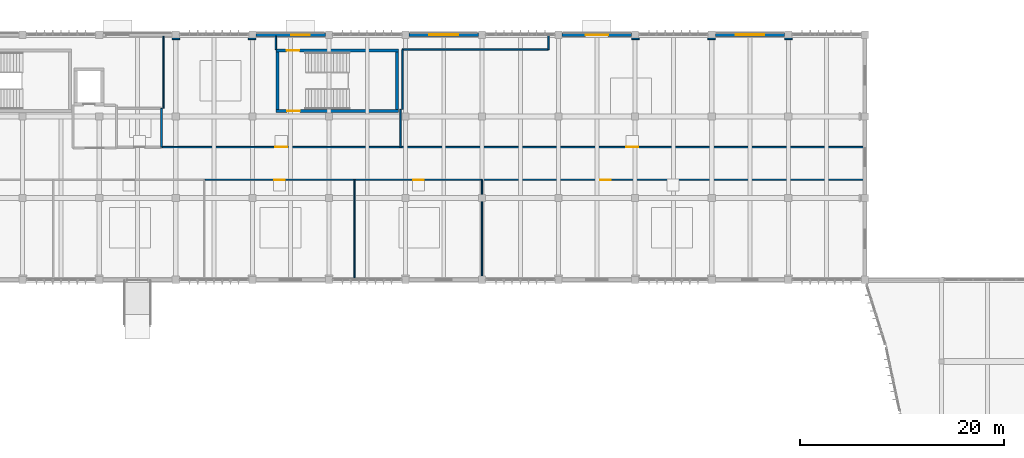
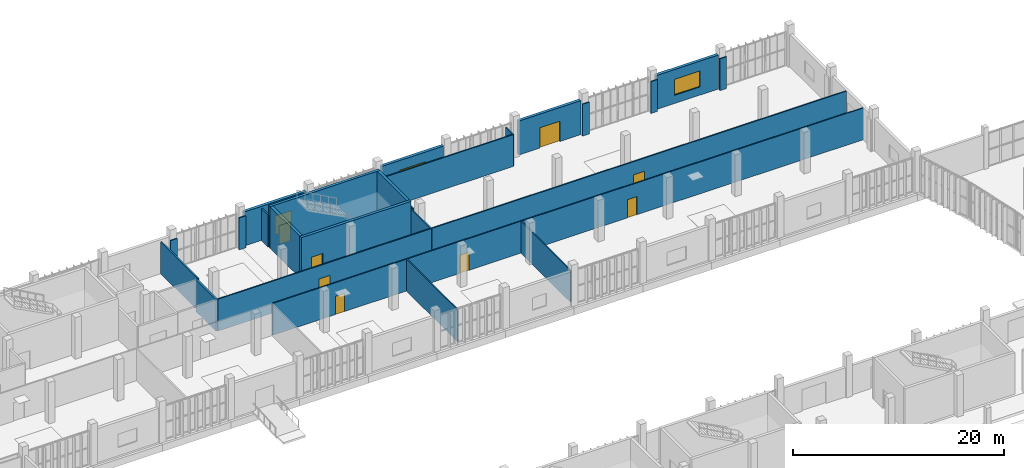
# One storey, part 49 of 72: 27 walls, 9 doors, 2 windows, 11 openings.
"""IFC4 building model written with IfcOpenShell, lengths in metres."""

from ifc_helpers import new_model, si_unit, direction, frame, frame_2d, origin, place, context, subcontext, project, spatial, rectangle, extrude, material, layer, layer_set, type_object, element, fill, save


model = new_model("IFC4")

# Units and contexts
model_context = context("Model", 3, precision=1e-05, world=origin(), true_north=direction((0.0, 1.0)))
body_context = subcontext(model_context, "Body", "Model", "MODEL_VIEW")
ifc_project = project(units=[si_unit("LENGTHUNIT", "METRE"), si_unit("AREAUNIT", "SQUARE_METRE"), si_unit("VOLUMEUNIT", "CUBIC_METRE"), si_unit("PLANEANGLEUNIT", "RADIAN"), si_unit("MASSUNIT", "GRAM", prefix="KILO")], contexts=[model_context])

# Site, building, storey
site_placement = place(None, origin())
site = spatial("IfcSite", under=ifc_project, at=site_placement, CompositionType="ELEMENT")
building_placement = place(site_placement, origin())
building = spatial("IfcBuilding", under=site, at=building_placement, Name="Vourika Railside Aquatics Centre", CompositionType="ELEMENT")
storey_placement = place(building_placement, origin())
storey = spatial("IfcBuildingStorey", under=building, at=storey_placement, Name="L00", CompositionType="ELEMENT", Elevation=0.0)

# Wall, opening, door
ifc_material_1 = material(Name="Concrete C40/50", Category="concrete")
ifc_layer_1 = layer(ifc_material_1, 0.300048828125, Name="WL-CORE")
ifc_layer_set_1 = layer_set([ifc_layer_1], Name="Concrete C40/50")
wall_type_1 = type_object("IfcWallType", Name="WL-CORE", PredefinedType="SHEAR", material=ifc_layer_set_1)
wall_1_placement = place(storey_placement, frame((75.800048828125, 108.550048828125, 0.0), z_axis=(0.0, 0.0, 1.0), x_axis=(1.0, 0.0, 0.0)))
wall_1 = element("IfcWall", 1, at=wall_1_placement, inside=storey, type_object=wall_type_1, Name="Protected Exit Stair Core ST03 South Wall (L00)", PredefinedType="SHEAR", context=body_context, shape_type="SweptSolid", body=[
    extrude(rectangle(XDim=12.0, YDim=0.300048828125, at=frame_2d((6.0, 0.0))), origin(), (0.0, 0.0, 1.0), 4.800048828125),
])
opening_1_placement = place(wall_1_placement, frame((1.10009765625, 0.0, 0.0)))
opening_1 = element("IfcOpeningElement", 2, at=opening_1_placement, cuts=wall_1, Name="Opening DF02", PredefinedType="OPENING", context=body_context, shape_type="SweptSolid", body=[
    extrude(rectangle(XDim=1.25, YDim=2.14990234375, at=frame_2d((0.625, 1.074951171875))), frame((0.0, 0.16015625, 0.0), z_axis=(0.0, -1.0, 0.0), x_axis=(1.0, 0.0, 0.0)), (0.0, 0.0, 1.0), 0.320068359375),
])
ifc_material_2 = material(Name="Fire-rated wide exit stair door")
door_type_1 = type_object("IfcDoorType", Name="DR-FD60-125", OperationType="NOTDEFINED", PredefinedType="DOOR", material=ifc_material_2)
door_1_placement = place(opening_1_placement, origin())
door_1 = element("IfcDoor", 3, at=door_1_placement, inside=storey, type_object=door_type_1, Name="Protected Exit Stair Core ST03 Enclosure Fire Door (L00)", OperationType="SINGLE_SWING_LEFT", OverallHeight=2.14990234375, OverallWidth=1.25, PredefinedType="DOOR", context=body_context, shape_type="SweptSolid", body=[
    extrude(rectangle(XDim=1.25, YDim=2.14990234375, at=frame_2d((0.625, 1.074951171875))), frame((0.0, 0.02490234375, 0.0), z_axis=(0.0, -1.0, 0.0), x_axis=(1.0, 0.0, 0.0)), (0.0, 0.0, 1.0), 0.050048828125),
])
fill(opening_1, door_1)

wall_2_placement = place(storey_placement, frame((87.800048828125, 114.449951171875, 0.0), z_axis=(0.0, 0.0, 1.0), x_axis=(-1.0, 0.0, 0.0)))
wall_2 = element("IfcWall", 4, at=wall_2_placement, inside=storey, type_object=wall_type_1, Name="Protected Exit Stair Core ST03 North Wall (L00)", PredefinedType="SHEAR", context=body_context, shape_type="SweptSolid", body=[
    extrude(rectangle(XDim=12.0, YDim=0.300048828125, at=frame_2d((6.0, 0.0))), origin(), (0.0, 0.0, 1.0), 4.800048828125),
])
opening_2_placement = place(wall_2_placement, frame((9.699951171875, 0.0, 0.0)))
opening_2 = element("IfcOpeningElement", 5, at=opening_2_placement, cuts=wall_2, Name="Opening DF02", PredefinedType="OPENING", context=body_context, shape_type="SweptSolid", body=[
    extrude(rectangle(XDim=1.25, YDim=2.14990234375, at=frame_2d((0.625, 1.074951171875))), frame((0.0, 0.16015625, 0.0), z_axis=(0.0, -1.0, 0.0), x_axis=(1.0, 0.0, 0.0)), (0.0, 0.0, 1.0), 0.320068359375),
])
door_2_placement = place(opening_2_placement, origin())
door_2 = element("IfcDoor", 6, at=door_2_placement, inside=storey, type_object=door_type_1, Name="Protected Exit Stair Core ST03 Grade Exit Vestibule Door", OperationType="SINGLE_SWING_RIGHT", OverallHeight=2.14990234375, OverallWidth=1.25, PredefinedType="DOOR", context=body_context, shape_type="SweptSolid", body=[
    extrude(rectangle(XDim=1.25, YDim=2.14990234375, at=frame_2d((0.625, 1.074951171875))), frame((0.0, 0.02490234375, 0.0), z_axis=(0.0, -1.0, 0.0), x_axis=(1.0, 0.0, 0.0)), (0.0, 0.0, 1.0), 0.050048828125),
])
fill(opening_2, door_2)

# Walls
for number, where, z_axis, x_axis, name in (
    (7, (75.949951171875, 114.300048828125, 0.0), (0.0, 0.0, 1.0), (0.0, -1.0, 0.0), "Protected Exit Stair Core ST03 West Wall (L00)"),
    (8, (87.64990234375, 108.699951171875, 0.0), (0.0, 0.0, 1.0), (0.0, 1.0, 0.0), "Protected Exit Stair Core ST03 East Wall (L00)"),
):
    element("IfcWall", number, at=place(storey_placement, frame(where, z_axis=z_axis, x_axis=x_axis)), inside=storey, type_object=wall_type_1, Name=name, PredefinedType="SHEAR", context=body_context, shape_type="SweptSolid", body=[
        extrude(rectangle(XDim=5.60009765625, YDim=0.300048828125, at=frame_2d((2.800048828125, 0.0))), origin(), (0.0, 0.0, 1.0), 4.800048828125),
    ])

# Wall, opening, door
ifc_material_3 = material(Name="Precast concrete C40/50", Category="concrete")
ifc_layer_2 = layer(ifc_material_3, 0.320068359375, Name="WL-EXT-320")
ifc_layer_set_2 = layer_set([ifc_layer_2], Name="Precast concrete C40/50")
wall_type_2 = type_object("IfcWallType", Name="WL-EXT-320", PredefinedType="SOLIDWALL", material=ifc_layer_set_2)
wall_3_placement = place(storey_placement, frame((80.64990234375, 116.0, 0.0), z_axis=(0.0, 0.0, 1.0), x_axis=(-1.0, 0.0, 0.0)))
wall_3 = element("IfcWall", 9, at=wall_3_placement, inside=storey, type_object=wall_type_2, Name="North Boulevard Exit Portal 8", PredefinedType="SOLIDWALL", context=body_context, shape_type="SweptSolid", body=[
    extrude(rectangle(XDim=6.7998046875, YDim=0.320068359375, at=frame_2d((3.39990234375, 0.0))), origin(), (0.0, 0.0, 1.0), 3.929931640625),
])
opening_3_placement = place(wall_3_placement, frame((1.550048828125, 0.0, 0.0)))
opening_3 = element("IfcOpeningElement", 10, at=opening_3_placement, cuts=wall_3, Name="Opening DE05", PredefinedType="OPENING", context=body_context, shape_type="SweptSolid", body=[
    extrude(rectangle(XDim=1.800048828125, YDim=2.199951171875, at=frame_2d((0.89990234375, 1.10009765625))), frame((0.0, 0.169921875, 0.0), z_axis=(0.0, -1.0, 0.0), x_axis=(1.0, 0.0, 0.0)), (0.0, 0.0, 1.0), 0.340087890625),
])
ifc_material_4 = material(Name="Anodized aluminium", Category="aluminium")
door_type_2 = type_object("IfcDoorType", Name="DR-EXT-DBL180", OperationType="DOUBLE_DOOR_SINGLE_SWING", PredefinedType="DOOR", material=ifc_material_4)
door_3_placement = place(opening_3_placement, frame((1.800048828125, 0.0, 0.0), z_axis=(0.0, 0.0, 1.0), x_axis=(-1.0, 0.0, 0.0)))
door_3 = element("IfcDoor", 11, at=door_3_placement, inside=storey, type_object=door_type_2, Name="North Boulevard Entrance and Exit Door 8", OperationType="DOUBLE_DOOR_SINGLE_SWING", OverallHeight=2.199951171875, OverallWidth=1.800048828125, PredefinedType="DOOR", context=body_context, shape_type="SweptSolid", body=[
    extrude(rectangle(XDim=1.800048828125, YDim=2.199951171875, at=frame_2d((0.89990234375, 1.10009765625))), frame((0.0, 0.02490234375, 0.0), z_axis=(0.0, -1.0, 0.0), x_axis=(1.0, 0.0, 0.0)), (0.0, 0.0, 1.0), 0.050048828125),
])
fill(opening_3, door_3)

# Wall, opening, window
wall_4_placement = place(storey_placement, frame((95.64990234375, 116.0, 0.0), z_axis=(0.0, 0.0, 1.0), x_axis=(-1.0, 0.0, 0.0)))
wall_4 = element("IfcWall", 12, at=wall_4_placement, inside=storey, type_object=wall_type_2, Name="North Boulevard Precast Bay L00-10", PredefinedType="SOLIDWALL", context=body_context, shape_type="SweptSolid", body=[
    extrude(rectangle(XDim=6.7998046875, YDim=0.320068359375, at=frame_2d((3.39990234375, 0.0))), origin(), (0.0, 0.0, 1.0), 3.929931640625),
])
opening_4_placement = place(wall_4_placement, frame((2.0, 0.0, 0.949951171875)))
opening_4 = element("IfcOpeningElement", 13, at=opening_4_placement, cuts=wall_4, Name="Opening W01", PredefinedType="OPENING", context=body_context, shape_type="SweptSolid", body=[
    extrude(rectangle(XDim=2.800048828125, YDim=1.85009765625, at=frame_2d((1.39990234375, 0.925048828125))), frame((0.0, 0.169921875, 0.0), z_axis=(0.0, -1.0, 0.0), x_axis=(1.0, 0.0, 0.0)), (0.0, 0.0, 1.0), 0.340087890625),
])
ifc_material_5 = material(Name="Laminated solar-control glass", Category="glass")
window_type = type_object("IfcWindowType", Name="WN-FIT-280x185", PartitioningType="DOUBLE_PANEL_VERTICAL", PredefinedType="WINDOW", material=ifc_material_5)
window_1_placement = place(opening_4_placement, origin())
window_1 = element("IfcWindow", 14, at=window_1_placement, inside=storey, type_object=window_type, Name="North Boulevard Studio Window L00-10", OverallHeight=1.85009765625, OverallWidth=2.800048828125, PartitioningType="SINGLE_PANEL", PredefinedType="WINDOW", context=body_context, shape_type="SweptSolid", body=[
    extrude(rectangle(XDim=2.800048828125, YDim=1.85009765625, at=frame_2d((1.39990234375, 0.925048828125))), frame((0.0, 0.030029296875, 0.0), z_axis=(0.0, -1.0, 0.0), x_axis=(1.0, 0.0, 0.0)), (0.0, 0.0, 1.0), 0.06005859375),
])
fill(opening_4, window_1)

# Wall, opening, door
wall_5_placement = place(storey_placement, frame((110.64990234375, 116.0, 0.0), z_axis=(0.0, 0.0, 1.0), x_axis=(-1.0, 0.0, 0.0)))
wall_5 = element("IfcWall", 15, at=wall_5_placement, inside=storey, type_object=wall_type_2, Name="North Boulevard Exit Portal 12", PredefinedType="SOLIDWALL", context=body_context, shape_type="SweptSolid", body=[
    extrude(rectangle(XDim=6.7998046875, YDim=0.320068359375, at=frame_2d((3.39990234375, 0.0))), origin(), (0.0, 0.0, 1.0), 3.929931640625),
])
opening_5_placement = place(wall_5_placement, frame((2.300048828125, 0.0, 0.0)))
opening_5 = element("IfcOpeningElement", 16, at=opening_5_placement, cuts=wall_5, Name="Opening DE03", PredefinedType="OPENING", context=body_context, shape_type="SweptSolid", body=[
    extrude(rectangle(XDim=2.199951171875, YDim=2.35009765625, at=frame_2d((1.10009765625, 1.175048828125))), frame((0.0, 0.169921875, 0.0), z_axis=(0.0, -1.0, 0.0), x_axis=(1.0, 0.0, 0.0)), (0.0, 0.0, 1.0), 0.340087890625),
])
door_type_3 = type_object("IfcDoorType", Name="DR-EXT-DBL220", OperationType="DOUBLE_DOOR_SINGLE_SWING", PredefinedType="DOOR", material=ifc_material_4)
door_4_placement = place(opening_5_placement, frame((2.199951171875, 0.0, 0.0), z_axis=(0.0, 0.0, 1.0), x_axis=(-1.0, 0.0, 0.0)))
door_4 = element("IfcDoor", 17, at=door_4_placement, inside=storey, type_object=door_type_3, Name="North Boulevard Entrance and Exit Door 12", OperationType="DOUBLE_DOOR_SINGLE_SWING", OverallHeight=2.35009765625, OverallWidth=2.199951171875, PredefinedType="DOOR", context=body_context, shape_type="SweptSolid", body=[
    extrude(rectangle(XDim=2.199951171875, YDim=2.35009765625, at=frame_2d((1.10009765625, 1.175048828125))), frame((0.0, 0.02490234375, 0.0), z_axis=(0.0, -1.0, 0.0), x_axis=(1.0, 0.0, 0.0)), (0.0, 0.0, 1.0), 0.050048828125),
])
fill(opening_5, door_4)

# Wall, opening, window
wall_6_placement = place(storey_placement, frame((125.64990234375, 116.0, 0.0), z_axis=(0.0, 0.0, 1.0), x_axis=(-1.0, 0.0, 0.0)))
wall_6 = element("IfcWall", 18, at=wall_6_placement, inside=storey, type_object=wall_type_2, Name="North Boulevard Precast Bay L00-14", PredefinedType="SOLIDWALL", context=body_context, shape_type="SweptSolid", body=[
    extrude(rectangle(XDim=6.7998046875, YDim=0.320068359375, at=frame_2d((3.39990234375, 0.0))), origin(), (0.0, 0.0, 1.0), 3.929931640625),
])
opening_6_placement = place(wall_6_placement, frame((2.0, 0.0, 0.949951171875)))
opening_6 = element("IfcOpeningElement", 19, at=opening_6_placement, cuts=wall_6, Name="Opening W01", PredefinedType="OPENING", context=body_context, shape_type="SweptSolid", body=[
    extrude(rectangle(XDim=2.800048828125, YDim=1.85009765625, at=frame_2d((1.39990234375, 0.925048828125))), frame((0.0, 0.169921875, 0.0), z_axis=(0.0, -1.0, 0.0), x_axis=(1.0, 0.0, 0.0)), (0.0, 0.0, 1.0), 0.340087890625),
])
window_2_placement = place(opening_6_placement, origin())
window_2 = element("IfcWindow", 20, at=window_2_placement, inside=storey, type_object=window_type, Name="North Boulevard Studio Window L00-14", OverallHeight=1.85009765625, OverallWidth=2.800048828125, PartitioningType="SINGLE_PANEL", PredefinedType="WINDOW", context=body_context, shape_type="SweptSolid", body=[
    extrude(rectangle(XDim=2.800048828125, YDim=1.85009765625, at=frame_2d((1.39990234375, 0.925048828125))), frame((0.0, 0.030029296875, 0.0), z_axis=(0.0, -1.0, 0.0), x_axis=(1.0, 0.0, 0.0)), (0.0, 0.0, 1.0), 0.06005859375),
])
fill(opening_6, window_2)

# Wall, opening, door
ifc_material_6 = material(Name="Lightweight drylining partition")
ifc_layer_3 = layer(ifc_material_6, 0.1201171875, Name="WL-PART-120")
ifc_layer_set_3 = layer_set([ifc_layer_3], Name="Lightweight drylining partition")
wall_type_3 = type_object("IfcWallType", Name="WL-PART-120", PredefinedType="PARTITIONING", material=ifc_layer_set_3)
wall_7_placement = place(storey_placement, frame((68.840087890625, 101.800048828125, 0.0), z_axis=(0.0, 0.0, 1.0), x_axis=(1.0, 0.0, 0.0)))
wall_7 = element("IfcWall", 21, at=wall_7_placement, inside=storey, type_object=wall_type_3, Name="Sports Traumatology Consultation Suite Partition 1", PredefinedType="PARTITIONING", context=body_context, shape_type="SweptSolid", body=[
    extrude(rectangle(XDim=14.659912109375, YDim=0.1201171875, at=frame_2d((7.330078125, 0.0))), origin(), (0.0, 0.0, 1.0), 3.679931640625),
])
opening_7_placement = place(wall_7_placement, frame((6.830078125, 0.0, 0.0)))
opening_7 = element("IfcOpeningElement", 22, at=opening_7_placement, cuts=wall_7, Name="Opening DI01", PredefinedType="OPENING", context=body_context, shape_type="SweptSolid", body=[
    extrude(rectangle(XDim=1.0, YDim=2.10009765625, at=frame_2d((0.5, 1.050048828125))), frame((0.0, 0.070068359375, 0.0), z_axis=(0.0, -1.0, 0.0), x_axis=(1.0, 0.0, 0.0)), (0.0, 0.0, 1.0), 0.14013671875),
])
ifc_material_7 = material(Name="Anodized aluminium and laminate door", Category="aluminium")
door_type_4 = type_object("IfcDoorType", Name="DR-INT-1000", OperationType="NOTDEFINED", PredefinedType="DOOR", material=ifc_material_7)
door_5_placement = place(opening_7_placement, origin())
door_5 = element("IfcDoor", 23, at=door_5_placement, inside=storey, type_object=door_type_4, Name="Sports Traumatology Consultation Suite Door", OperationType="SINGLE_SWING_LEFT", OverallHeight=2.10009765625, OverallWidth=1.0, PredefinedType="DOOR", context=body_context, shape_type="SweptSolid", body=[
    extrude(rectangle(XDim=1.0, YDim=2.10009765625, at=frame_2d((0.5, 1.050048828125))), frame((0.0, 0.02490234375, 0.0), z_axis=(0.0, -1.0, 0.0), x_axis=(1.0, 0.0, 0.0)), (0.0, 0.0, 1.0), 0.050048828125),
])
fill(opening_7, door_5)

# Wall
wall_8_placement = place(storey_placement, frame((83.5, 101.800048828125, 0.0), z_axis=(0.0, 0.0, 1.0), x_axis=(0.0, -1.0, 0.0)))
element("IfcWall", 24, at=wall_8_placement, inside=storey, type_object=wall_type_3, Name="Sports Traumatology Consultation Suite Partition 3", PredefinedType="PARTITIONING", context=body_context, shape_type="SweptSolid", body=[
    extrude(rectangle(XDim=9.738037109375, YDim=0.1201171875, at=frame_2d((4.869140625, 0.0))), origin(), (0.0, 0.0, 1.0), 3.679931640625),
])

# Wall, opening, door
wall_9_placement = place(storey_placement, frame((83.5400390625, 101.800048828125, 0.0), z_axis=(0.0, 0.0, 1.0), x_axis=(1.0, 0.0, 0.0)))
wall_9 = element("IfcWall", 25, at=wall_9_placement, inside=storey, type_object=wall_type_3, Name="Athlete Cardiac Screening Lounge Partition 1", PredefinedType="PARTITIONING", context=body_context, shape_type="SweptSolid", body=[
    extrude(rectangle(XDim=12.4599609375, YDim=0.1201171875, at=frame_2d((6.22998046875, 0.0))), origin(), (0.0, 0.0, 1.0), 3.679931640625),
])
opening_8_placement = place(wall_9_placement, frame((5.72998046875, 0.0, 0.0)))
opening_8 = element("IfcOpeningElement", 26, at=opening_8_placement, cuts=wall_9, Name="Opening DI01", PredefinedType="OPENING", context=body_context, shape_type="SweptSolid", body=[
    extrude(rectangle(XDim=1.0, YDim=2.10009765625, at=frame_2d((0.5, 1.050048828125))), frame((0.0, 0.070068359375, 0.0), z_axis=(0.0, -1.0, 0.0), x_axis=(1.0, 0.0, 0.0)), (0.0, 0.0, 1.0), 0.14013671875),
])
door_6_placement = place(opening_8_placement, origin())
door_6 = element("IfcDoor", 27, at=door_6_placement, inside=storey, type_object=door_type_4, Name="Athlete Cardiac Screening Lounge Door", OperationType="SINGLE_SWING_RIGHT", OverallHeight=2.10009765625, OverallWidth=1.0, PredefinedType="DOOR", context=body_context, shape_type="SweptSolid", body=[
    extrude(rectangle(XDim=1.0, YDim=2.10009765625, at=frame_2d((0.5, 1.050048828125))), frame((0.0, 0.02490234375, 0.0), z_axis=(0.0, -1.0, 0.0), x_axis=(1.0, 0.0, 0.0)), (0.0, 0.0, 1.0), 0.050048828125),
])
fill(opening_8, door_6)

# Wall
wall_10_placement = place(storey_placement, frame((96.0, 101.800048828125, 0.0), z_axis=(0.0, 0.0, 1.0), x_axis=(0.0, -1.0, 0.0)))
element("IfcWall", 28, at=wall_10_placement, inside=storey, type_object=wall_type_3, Name="Athlete Cardiac Screening Lounge Partition 2", PredefinedType="PARTITIONING", context=body_context, shape_type="SweptSolid", body=[
    extrude(rectangle(XDim=9.400146484375, YDim=0.1201171875, at=frame_2d((4.7001953125, 0.0))), origin(), (0.0, 0.0, 1.0), 3.679931640625),
])

# Wall, opening, door
wall_11_placement = place(storey_placement, frame((96.0400390625, 101.800048828125, 0.0), z_axis=(0.0, 0.0, 1.0), x_axis=(1.0, 0.0, 0.0)))
wall_11 = element("IfcWall", 29, at=wall_11_placement, inside=storey, type_object=wall_type_3, Name="Diagnostic Imaging and Triage Suite Partition 1", PredefinedType="PARTITIONING", context=body_context, shape_type="SweptSolid", body=[
    extrude(rectangle(XDim=37.320068359375, YDim=0.1201171875, at=frame_2d((18.66015625, 0.0))), origin(), (0.0, 0.0, 1.0), 3.679931640625),
])
opening_9_placement = place(wall_11_placement, frame((11.56005859375, 0.0, 0.0)))
opening_9 = element("IfcOpeningElement", 30, at=opening_9_placement, cuts=wall_11, Name="Opening DI01", PredefinedType="OPENING", context=body_context, shape_type="SweptSolid", body=[
    extrude(rectangle(XDim=1.0, YDim=2.10009765625, at=frame_2d((0.5, 1.050048828125))), frame((0.0, 0.070068359375, 0.0), z_axis=(0.0, -1.0, 0.0), x_axis=(1.0, 0.0, 0.0)), (0.0, 0.0, 1.0), 0.14013671875),
])
door_7_placement = place(opening_9_placement, origin())
door_7 = element("IfcDoor", 31, at=door_7_placement, inside=storey, type_object=door_type_4, Name="Diagnostic Imaging and Triage Suite Door", OperationType="SINGLE_SWING_LEFT", OverallHeight=2.10009765625, OverallWidth=1.0, PredefinedType="DOOR", context=body_context, shape_type="SweptSolid", body=[
    extrude(rectangle(XDim=1.0, YDim=2.10009765625, at=frame_2d((0.5, 1.050048828125))), frame((0.0, 0.02490234375, 0.0), z_axis=(0.0, -1.0, 0.0), x_axis=(1.0, 0.0, 0.0)), (0.0, 0.0, 1.0), 0.050048828125),
])
fill(opening_9, door_7)

ifc_material_8 = material(Name="Clinical hygienic partition")
ifc_layer_4 = layer(ifc_material_8, 0.139892578125, Name="WL-PART-140")
ifc_layer_set_4 = layer_set([ifc_layer_4], Name="Clinical hygienic partition")
wall_type_4 = type_object("IfcWallType", Name="WL-PART-140", PredefinedType="PARTITIONING", material=ifc_layer_set_4)
wall_12_placement = place(storey_placement, frame((88.0, 105.0, 0.0), z_axis=(0.0, 0.0, 1.0), x_axis=(-1.0, 0.0, 0.0)))
wall_12 = element("IfcWall", 32, at=wall_12_placement, inside=storey, type_object=wall_type_4, Name="Sports-Medicine Clinic Reception and Waiting Partition 1", PredefinedType="PARTITIONING", context=body_context, shape_type="SweptSolid", body=[
    extrude(rectangle(XDim=23.330078125, YDim=0.139892578125, at=frame_2d((11.6650390625, 0.0))), origin(), (0.0, 0.0, 1.0), 3.679931640625),
])
opening_10_placement = place(wall_12_placement, frame((11.06494140625, 0.0, 0.0)))
opening_10 = element("IfcOpeningElement", 33, at=opening_10_placement, cuts=wall_12, Name="Opening DI03", PredefinedType="OPENING", context=body_context, shape_type="SweptSolid", body=[
    extrude(rectangle(XDim=1.199951171875, YDim=2.14990234375, at=frame_2d((0.60009765625, 1.074951171875))), frame((0.0, 0.080078125, 0.0), z_axis=(0.0, -1.0, 0.0), x_axis=(1.0, 0.0, 0.0)), (0.0, 0.0, 1.0), 0.159912109375),
])
ifc_material_9 = material(Name="Wide sports-medicine clinical door")
door_type_5 = type_object("IfcDoorType", Name="DR-INT-1200", OperationType="NOTDEFINED", PredefinedType="DOOR", material=ifc_material_9)
door_8_placement = place(opening_10_placement, origin())
door_8 = element("IfcDoor", 34, at=door_8_placement, inside=storey, type_object=door_type_5, Name="Sports-Medicine Clinic Reception and Waiting Door", OperationType="SINGLE_SWING_LEFT", OverallHeight=2.14990234375, OverallWidth=1.199951171875, PredefinedType="DOOR", context=body_context, shape_type="SweptSolid", body=[
    extrude(rectangle(XDim=1.199951171875, YDim=2.14990234375, at=frame_2d((0.60009765625, 1.074951171875))), frame((0.0, 0.02490234375, 0.0), z_axis=(0.0, -1.0, 0.0), x_axis=(1.0, 0.0, 0.0)), (0.0, 0.0, 1.0), 0.050048828125),
])
fill(opening_10, door_8)

# Walls
wall_13_placement = place(storey_placement, frame((88.0, 108.699951171875, 0.0), z_axis=(0.0, 0.0, 1.0), x_axis=(0.0, -1.0, 0.0)))
element("IfcWall", 35, at=wall_13_placement, inside=storey, type_object=wall_type_4, Name="Sports-Medicine Clinic Reception and Waiting Partition 2", PredefinedType="PARTITIONING", context=body_context, shape_type="SweptSolid", body=[
    extrude(rectangle(XDim=3.699951171875, YDim=0.139892578125, at=frame_2d((1.85009765625, 0.0))), origin(), (0.0, 0.0, 1.0), 3.679931640625),
])
wall_14_placement = place(storey_placement, frame((64.800048828125, 108.800048828125, 0.0), z_axis=(0.0, 0.0, 1.0), x_axis=(0.0, 1.0, 0.0)))
element("IfcWall", 36, at=wall_14_placement, inside=storey, type_object=wall_type_4, Name="Sports-Medicine Clinic Reception and Waiting Partition 4", PredefinedType="PARTITIONING", context=body_context, shape_type="SweptSolid", body=[
    extrude(rectangle(XDim=7.06005859375, YDim=0.139892578125, at=frame_2d((3.530029296875, 0.0))), origin(), (0.0, 0.0, 1.0), 3.679931640625),
])
wall_15_placement = place(storey_placement, frame((75.800048828125, 115.860107421875, 0.0), z_axis=(0.0, 0.0, 1.0), x_axis=(0.0, -1.0, 0.0)))
element("IfcWall", 37, at=wall_15_placement, inside=storey, type_object=wall_type_4, Name="Sports-Medicine Clinic Reception and Waiting Partition 5", PredefinedType="PARTITIONING", context=body_context, shape_type="SweptSolid", body=[
    extrude(rectangle(XDim=1.31005859375, YDim=0.139892578125, at=frame_2d((0.655029296875, 0.0))), origin(), (0.0, 0.0, 1.0), 3.679931640625),
])
for number, where, z_axis, x_axis, name in (
    (38, (65.64990234375, 115.60009765625, 0.0), (0.0, 0.0, 1.0), (1.0, 0.0, 0.0), "Sports-Medicine Clinic Reception and Waiting Partition 6"),
    (39, (73.1201171875, 115.60009765625, 0.0), (0.0, 0.0, 1.0), (1.0, 0.0, 0.0), "Sports-Medicine Clinic Reception and Waiting Partition 7"),
):
    element("IfcWall", number, at=place(storey_placement, frame(where, z_axis=z_axis, x_axis=x_axis)), inside=storey, type_object=wall_type_4, Name=name, PredefinedType="PARTITIONING", context=body_context, shape_type="SweptSolid", body=[
        extrude(rectangle(XDim=0.72998046875, YDim=0.139892578125, at=frame_2d((0.364990234375, 0.0))), origin(), (0.0, 0.0, 1.0), 3.679931640625),
    ])

# Wall, opening, door
wall_16_placement = place(storey_placement, frame((133.360107421875, 105.0, 0.0), z_axis=(0.0, 0.0, 1.0), x_axis=(-1.0, 0.0, 0.0)))
wall_16 = element("IfcWall", 40, at=wall_16_placement, inside=storey, type_object=wall_type_4, Name="Rehabilitation Physiotherapy Lounge Partition 1", PredefinedType="PARTITIONING", context=body_context, shape_type="SweptSolid", body=[
    extrude(rectangle(XDim=45.31005859375, YDim=0.139892578125, at=frame_2d((22.655029296875, 0.0))), origin(), (0.0, 0.0, 1.0), 3.679931640625),
])
opening_11_placement = place(wall_16_placement, frame((22.054931640625, 0.0, 0.0)))
opening_11 = element("IfcOpeningElement", 41, at=opening_11_placement, cuts=wall_16, Name="Opening DI03", PredefinedType="OPENING", context=body_context, shape_type="SweptSolid", body=[
    extrude(rectangle(XDim=1.199951171875, YDim=2.14990234375, at=frame_2d((0.60009765625, 1.074951171875))), frame((0.0, 0.080078125, 0.0), z_axis=(0.0, -1.0, 0.0), x_axis=(1.0, 0.0, 0.0)), (0.0, 0.0, 1.0), 0.159912109375),
])
door_9_placement = place(opening_11_placement, origin())
door_9 = element("IfcDoor", 42, at=door_9_placement, inside=storey, type_object=door_type_5, Name="Rehabilitation Physiotherapy Lounge Door", OperationType="SINGLE_SWING_RIGHT", OverallHeight=2.14990234375, OverallWidth=1.199951171875, PredefinedType="DOOR", context=body_context, shape_type="SweptSolid", body=[
    extrude(rectangle(XDim=1.199951171875, YDim=2.14990234375, at=frame_2d((0.60009765625, 1.074951171875))), frame((0.0, 0.02490234375, 0.0), z_axis=(0.0, -1.0, 0.0), x_axis=(1.0, 0.0, 0.0)), (0.0, 0.0, 1.0), 0.050048828125),
])
fill(opening_11, door_9)

# Walls
wall_17_placement = place(storey_placement, frame((88.199951171875, 108.699951171875, 0.0), z_axis=(0.0, 0.0, 1.0), x_axis=(0.0, 1.0, 0.0)))
element("IfcWall", 43, at=wall_17_placement, inside=storey, type_object=wall_type_4, Name="Rehabilitation Physiotherapy Lounge Partition 4", PredefinedType="PARTITIONING", context=body_context, shape_type="SweptSolid", body=[
    extrude(rectangle(XDim=5.85009765625, YDim=0.139892578125, at=frame_2d((2.925048828125, 0.0))), origin(), (0.0, 0.0, 1.0), 3.679931640625),
])
wall_18_placement = place(storey_placement, frame((88.199951171875, 114.550048828125, 0.0), z_axis=(0.0, 0.0, 1.0), x_axis=(1.0, 0.0, 0.0)))
element("IfcWall", 44, at=wall_18_placement, inside=storey, type_object=wall_type_4, Name="Rehabilitation Physiotherapy Lounge Partition 5", PredefinedType="PARTITIONING", context=body_context, shape_type="SweptSolid", body=[
    extrude(rectangle(XDim=14.300048828125, YDim=0.139892578125, at=frame_2d((7.14990234375, 0.0))), origin(), (0.0, 0.0, 1.0), 3.679931640625),
])
wall_19_placement = place(storey_placement, frame((102.5, 114.550048828125, 0.0), z_axis=(0.0, 0.0, 1.0), x_axis=(0.0, 1.0, 0.0)))
element("IfcWall", 45, at=wall_19_placement, inside=storey, type_object=wall_type_4, Name="Rehabilitation Physiotherapy Lounge Partition 6", PredefinedType="PARTITIONING", context=body_context, shape_type="SweptSolid", body=[
    extrude(rectangle(XDim=1.387939453125, YDim=0.139892578125, at=frame_2d((0.69384765625, 0.0))), origin(), (0.0, 0.0, 1.0), 3.679931640625),
])
for number, where, z_axis, x_axis, name in (
    (46, (110.64990234375, 115.60009765625, 0.0), (0.0, 0.0, 1.0), (1.0, 0.0, 0.0), "Rehabilitation Physiotherapy Lounge Partition 7"),
    (47, (118.1201171875, 115.60009765625, 0.0), (0.0, 0.0, 1.0), (1.0, 0.0, 0.0), "Rehabilitation Physiotherapy Lounge Partition 8"),
    (48, (125.64990234375, 115.60009765625, 0.0), (0.0, 0.0, 1.0), (1.0, 0.0, 0.0), "Rehabilitation Physiotherapy Lounge Partition 9"),
):
    element("IfcWall", number, at=place(storey_placement, frame(where, z_axis=z_axis, x_axis=x_axis)), inside=storey, type_object=wall_type_4, Name=name, PredefinedType="PARTITIONING", context=body_context, shape_type="SweptSolid", body=[
        extrude(rectangle(XDim=0.72998046875, YDim=0.139892578125, at=frame_2d((0.364990234375, 0.0))), origin(), (0.0, 0.0, 1.0), 3.679931640625),
    ])
ifc_material_10 = material(Name="Moisture-resistant wet-village blockwork", Category="masonry")
ifc_layer_5 = layer(ifc_material_10, 0.179931640625, Name="WL-PART-180")
ifc_layer_set_5 = layer_set([ifc_layer_5], Name="Moisture-resistant wet-village blockwork")
wall_type_5 = type_object("IfcWallType", Name="WL-PART-180", PredefinedType="PARTITIONING", material=ifc_layer_set_5)
wall_20_placement = place(storey_placement, frame((64.60009765625, 108.800048828125, 0.0), z_axis=(0.0, 0.0, 1.0), x_axis=(0.0, -1.0, 0.0)))
element("IfcWall", 49, at=wall_20_placement, inside=storey, type_object=wall_type_5, Name="Clinic Accessible WC Partition 2", PredefinedType="PARTITIONING", context=body_context, shape_type="SweptSolid", body=[
    extrude(rectangle(XDim=3.800048828125, YDim=0.179931640625, at=frame_2d((1.89990234375, 0.0))), origin(), (0.0, 0.0, 1.0), 3.679931640625),
])

save(model, "model.ifc")
